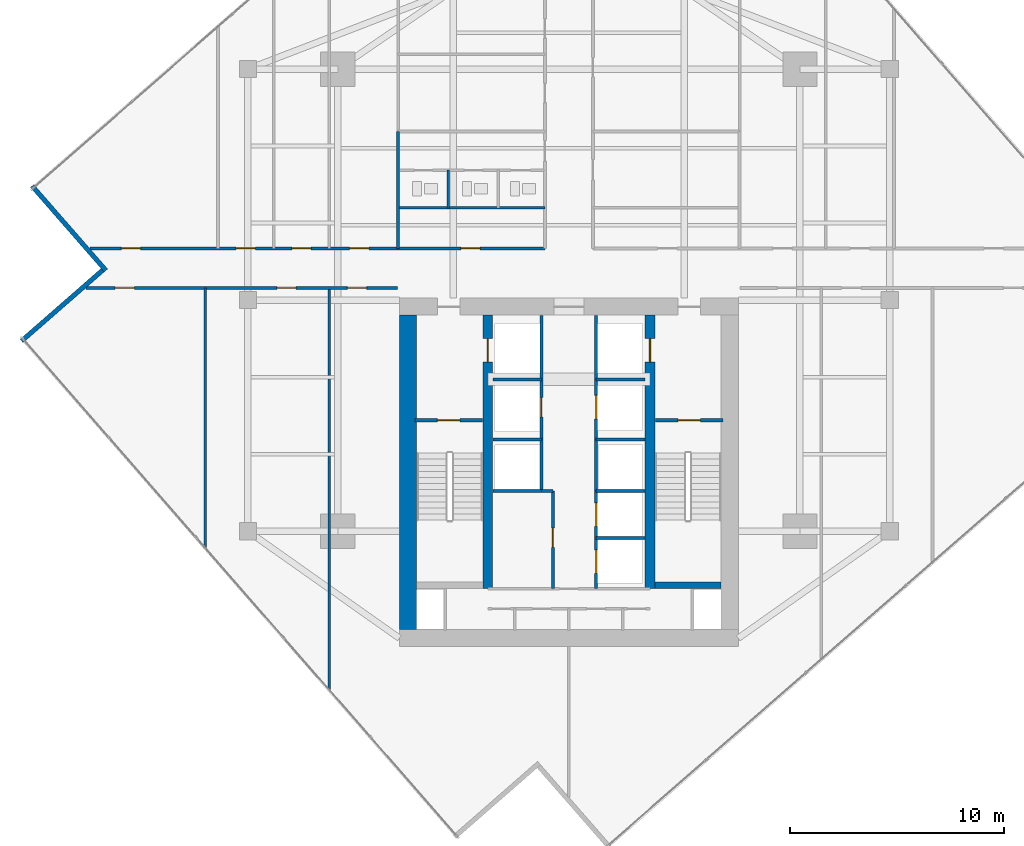
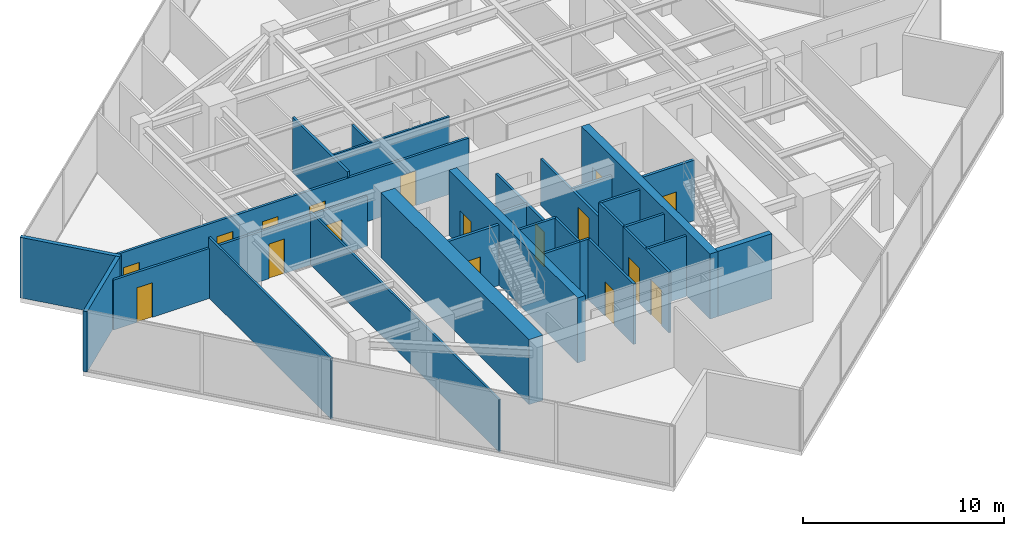
# One storey, part 20 of 24: 29 walls, 17 doors, 17 openings.
"""IFC4 building model written with IfcOpenShell, lengths in metres."""

from ifc_helpers import new_model, si_unit, direction, frame, frame_2d, origin, place, context, subcontext, project, spatial, rectangle, extrude, material, layer, layer_set, type_object, element, fill, save


model = new_model("IFC4")

# Units and contexts
model_context = context("Model", 3, precision=1e-05, world=origin(), true_north=direction((0.0, 1.0)))
body_context = subcontext(model_context, "Body", "Model", "MODEL_VIEW")
ifc_project = project(units=[si_unit("LENGTHUNIT", "METRE"), si_unit("AREAUNIT", "SQUARE_METRE"), si_unit("VOLUMEUNIT", "CUBIC_METRE"), si_unit("PLANEANGLEUNIT", "RADIAN"), si_unit("MASSUNIT", "GRAM", prefix="KILO")], contexts=[model_context])

# Site, building, storey
site_placement = place(None, origin())
site = spatial("IfcSite", under=ifc_project, at=site_placement, CompositionType="ELEMENT")
building_placement = place(site_placement, origin())
building = spatial("IfcBuilding", under=site, at=building_placement, Name="Krantzveldt Concourse Tower", CompositionType="ELEMENT")
storey_placement = place(building_placement, frame((0.0, 0.0, 254.699951171875)))
storey = spatial("IfcBuildingStorey", under=building, at=storey_placement, Name="L62", CompositionType="ELEMENT", Elevation=254.699951171875)

# Walls
ifc_material_1 = material(Name="Anodised aluminium 6063-T6", Category="aluminium")
ifc_layer_1 = layer(ifc_material_1, 0.219970703125, Name="Anodised aluminium 6063-T6", Category="aluminium")
ifc_layer_set_1 = layer_set([ifc_layer_1], Name="Anodised aluminium 6063-T6 (WL-EXT-NOTCH220)")
wall_type_1 = type_object("IfcWallType", Name="WL-EXT-NOTCH220", PredefinedType="ELEMENTEDWALL", material=ifc_layer_set_1)
wall_1_placement = place(storey_placement, frame((10.90771484375, 32.038818359375, 0.0), z_axis=(0.0, 0.0, 1.0), x_axis=(0.657710057617, -0.7532711863, 0.0)))
element("IfcWall", 1, at=wall_1_placement, inside=storey, type_object=wall_type_1, Name="EW-L62-NCH02", PredefinedType="ELEMENTEDWALL", context=body_context, shape_type="SweptSolid", body=[
    extrude(rectangle(XDim=5.2451171875, YDim=0.219970703125, at=frame_2d((2.62255859375, 0.0))), origin(), (0.0, 0.0, 1.0), 3.670166015625),
])
wall_2_placement = place(storey_placement, frame((14.2021484375, 28.098388671875, 0.0), z_axis=(0.0, 0.0, 1.0), x_axis=(-0.753274531518, -0.657706226339, 0.0)))
element("IfcWall", 2, at=wall_2_placement, inside=storey, type_object=wall_type_1, Name="EW-L62-NCH03", PredefinedType="ELEMENTEDWALL", context=body_context, shape_type="SweptSolid", body=[
    extrude(rectangle(XDim=5.02490234375, YDim=0.219970703125, at=frame_2d((2.512451171875, 0.0))), origin(), (0.0, 0.0, 1.0), 3.670166015625),
])
ifc_material_2 = material(Name="Fire-rated gypsum plasterboard on steel stud", Category="steel")
ifc_layer_2 = layer(ifc_material_2, 0.1201171875, Name="Fire-rated gypsum plasterboard on steel stud", Category="steel")
ifc_layer_set_2 = layer_set([ifc_layer_2], Name="Fire-rated gypsum plasterboard on steel stud (WL-PART-120)")
wall_type_2 = type_object("IfcWallType", Name="WL-PART-120", PredefinedType="PARTITIONING", material=ifc_layer_set_2)
wall_3_placement = place(storey_placement, frame((28.02001953125, 31.02001953125, 0.0), z_axis=(0.0, 0.0, 1.0), x_axis=(1.0, 0.0, 0.0)))
element("IfcWall", 3, at=wall_3_placement, inside=storey, type_object=wall_type_2, Name="WP-L62-ISML", PredefinedType="PARTITIONING", context=body_context, shape_type="SweptSolid", body=[
    extrude(rectangle(XDim=6.85986328125, YDim=0.1201171875, at=frame_2d((3.429931640625, 0.0))), origin(), (0.0, 0.0, 1.0), 3.179931640625),
])
wall_4_placement = place(storey_placement, frame((30.3701171875, 31.02001953125, 0.0), z_axis=(0.0, 0.0, 1.0), x_axis=(0.0, 1.0, 0.0)))
element("IfcWall", 4, at=wall_4_placement, inside=storey, type_object=wall_type_2, Name="WP-L62-WCD1", PredefinedType="PARTITIONING", context=body_context, shape_type="SweptSolid", body=[
    extrude(rectangle(XDim=1.760009765625, YDim=0.1201171875, at=frame_2d((0.8798828125, 0.0))), origin(), (0.0, 0.0, 1.0), 3.179931640625),
])
wall_5_placement = place(storey_placement, frame((19.0, 15.13818359375, 0.0), z_axis=(0.0, 0.0, 1.0), x_axis=(0.0, 1.0, 0.0)))
element("IfcWall", 5, at=wall_5_placement, inside=storey, type_object=wall_type_2, Name="WP-L62-SWX1", PredefinedType="PARTITIONING", context=body_context, shape_type="SweptSolid", body=[
    extrude(rectangle(XDim=12.141845703125, YDim=0.1201171875, at=frame_2d((6.07080078125, 0.0))), origin(), (0.0, 0.0, 1.0), 3.670166015625),
])
wall_6_placement = place(storey_placement, frame((24.800048828125, 8.495361328125, 0.0), z_axis=(0.0, 0.0, 1.0), x_axis=(0.0, 1.0, 0.0)))
element("IfcWall", 6, at=wall_6_placement, inside=storey, type_object=wall_type_2, Name="WP-L62-SWX2", PredefinedType="PARTITIONING", context=body_context, shape_type="SweptSolid", body=[
    extrude(rectangle(XDim=18.78466796875, YDim=0.1201171875, at=frame_2d((9.392333984375, 0.0))), origin(), (0.0, 0.0, 1.0), 3.179931640625),
])

# Wall, openings, doors
ifc_layer_3 = layer(ifc_material_2, 0.139892578125, Name="Fire-rated gypsum plasterboard on steel stud", Category="steel")
ifc_layer_set_3 = layer_set([ifc_layer_3], Name="Fire-rated gypsum plasterboard on steel stud (WL-PART-140)")
wall_type_3 = type_object("IfcWallType", Name="WL-PART-140", PredefinedType="PARTITIONING", material=ifc_layer_set_3)
wall_7_placement = place(storey_placement, frame((13.60888671875, 29.1201171875, 0.0), z_axis=(0.0, 0.0, 1.0), x_axis=(1.0, 0.0, 0.0)))
wall_7 = element("IfcWall", 7, at=wall_7_placement, inside=storey, type_object=wall_type_3, Name="WP-L62-EWNL", PredefinedType="PARTITIONING", context=body_context, shape_type="SweptSolid", body=[
    extrude(rectangle(XDim=21.27099609375, YDim=0.139892578125, at=frame_2d((10.635498046875, 0.0))), origin(), (0.0, 0.0, 1.0), 3.030029296875),
])
opening_1_placement = place(wall_7_placement, frame((17.341064453125, 0.0, 0.0)))
opening_1 = element("IfcOpeningElement", 8, at=opening_1_placement, cuts=wall_7, Name="Opening D-IN090", PredefinedType="OPENING", context=body_context, shape_type="SweptSolid", body=[
    extrude(rectangle(XDim=0.89990234375, YDim=2.10009765625, at=frame_2d((0.449951171875, 1.050048828125))), frame((0.0, 0.080078125, 0.0), z_axis=(0.0, -1.0, 0.0), x_axis=(1.0, 0.0, 0.0)), (0.0, 0.0, 1.0), 0.159912109375),
])
opening_2_placement = place(wall_7_placement, frame((1.47802734375, 0.0, 0.0)))
opening_2 = element("IfcOpeningElement", 9, at=opening_2_placement, cuts=wall_7, Name="Opening D-IN090", PredefinedType="OPENING", context=body_context, shape_type="SweptSolid", body=[
    extrude(rectangle(XDim=0.89990234375, YDim=2.10009765625, at=frame_2d((0.449951171875, 1.050048828125))), frame((0.0, 0.080078125, 0.0), z_axis=(0.0, -1.0, 0.0), x_axis=(1.0, 0.0, 0.0)), (0.0, 0.0, 1.0), 0.159912109375),
])
opening_3_placement = place(wall_7_placement, frame((6.841064453125, 0.0, 0.0)))
opening_3 = element("IfcOpeningElement", 10, at=opening_3_placement, cuts=wall_7, Name="Opening D-IN090", PredefinedType="OPENING", context=body_context, shape_type="SweptSolid", body=[
    extrude(rectangle(XDim=0.89990234375, YDim=2.10009765625, at=frame_2d((0.449951171875, 1.050048828125))), frame((0.0, 0.080078125, 0.0), z_axis=(0.0, -1.0, 0.0), x_axis=(1.0, 0.0, 0.0)), (0.0, 0.0, 1.0), 0.159912109375),
])
opening_4_placement = place(wall_7_placement, frame((9.44091796875, 0.0, 0.0)))
opening_4 = element("IfcOpeningElement", 11, at=opening_4_placement, cuts=wall_7, Name="Opening D-IN090", PredefinedType="OPENING", context=body_context, shape_type="SweptSolid", body=[
    extrude(rectangle(XDim=0.89990234375, YDim=2.10009765625, at=frame_2d((0.449951171875, 1.050048828125))), frame((0.0, 0.080078125, 0.0), z_axis=(0.0, -1.0, 0.0), x_axis=(1.0, 0.0, 0.0)), (0.0, 0.0, 1.0), 0.159912109375),
])
opening_5_placement = place(wall_7_placement, frame((12.14111328125, 0.0, 0.0)))
opening_5 = element("IfcOpeningElement", 12, at=opening_5_placement, cuts=wall_7, Name="Opening D-IN090", PredefinedType="OPENING", context=body_context, shape_type="SweptSolid", body=[
    extrude(rectangle(XDim=0.89990234375, YDim=2.10009765625, at=frame_2d((0.449951171875, 1.050048828125))), frame((0.0, 0.080078125, 0.0), z_axis=(0.0, -1.0, 0.0), x_axis=(1.0, 0.0, 0.0)), (0.0, 0.0, 1.0), 0.159912109375),
])
ifc_material_3 = material(Name="Hardwood timber", Category="wood")
door_type_1 = type_object("IfcDoorType", Name="DR-INT-900", OperationType="SINGLE_SWING_LEFT", PredefinedType="DOOR", material=ifc_material_3)
door_1_placement = place(opening_1_placement, origin())
door_1 = element("IfcDoor", 13, at=door_1_placement, inside=storey, type_object=door_type_1, Name="DR-L62-ALCL", OperationType="SINGLE_SWING_LEFT", OverallHeight=2.10009765625, OverallWidth=0.89990234375, PredefinedType="DOOR", context=body_context, shape_type="SweptSolid", body=[
    extrude(rectangle(XDim=0.89990234375, YDim=2.10009765625, at=frame_2d((0.449951171875, 1.050048828125))), frame((0.0, 0.02490234375, 0.0), z_axis=(0.0, -1.0, 0.0), x_axis=(1.0, 0.0, 0.0)), (0.0, 0.0, 1.0), 0.050048828125),
])
fill(opening_1, door_1)
door_2_placement = place(opening_2_placement, origin())
door_2 = element("IfcDoor", 14, at=door_2_placement, inside=storey, type_object=door_type_1, Name="DR-L62-NWX1", OperationType="SINGLE_SWING_LEFT", OverallHeight=2.10009765625, OverallWidth=0.89990234375, PredefinedType="DOOR", context=body_context, shape_type="SweptSolid", body=[
    extrude(rectangle(XDim=0.89990234375, YDim=2.10009765625, at=frame_2d((0.449951171875, 1.050048828125))), frame((0.0, 0.02490234375, 0.0), z_axis=(0.0, -1.0, 0.0), x_axis=(1.0, 0.0, 0.0)), (0.0, 0.0, 1.0), 0.050048828125),
])
fill(opening_2, door_2)
door_3_placement = place(opening_3_placement, origin())
door_3 = element("IfcDoor", 15, at=door_3_placement, inside=storey, type_object=door_type_1, Name="DR-L62-NWX2", OperationType="SINGLE_SWING_LEFT", OverallHeight=2.10009765625, OverallWidth=0.89990234375, PredefinedType="DOOR", context=body_context, shape_type="SweptSolid", body=[
    extrude(rectangle(XDim=0.89990234375, YDim=2.10009765625, at=frame_2d((0.449951171875, 1.050048828125))), frame((0.0, 0.02490234375, 0.0), z_axis=(0.0, -1.0, 0.0), x_axis=(1.0, 0.0, 0.0)), (0.0, 0.0, 1.0), 0.050048828125),
])
fill(opening_3, door_3)
door_4_placement = place(opening_4_placement, origin())
door_4 = element("IfcDoor", 16, at=door_4_placement, inside=storey, type_object=door_type_1, Name="DR-L62-NWX3", OperationType="SINGLE_SWING_LEFT", OverallHeight=2.10009765625, OverallWidth=0.89990234375, PredefinedType="DOOR", context=body_context, shape_type="SweptSolid", body=[
    extrude(rectangle(XDim=0.89990234375, YDim=2.10009765625, at=frame_2d((0.449951171875, 1.050048828125))), frame((0.0, 0.02490234375, 0.0), z_axis=(0.0, -1.0, 0.0), x_axis=(1.0, 0.0, 0.0)), (0.0, 0.0, 1.0), 0.050048828125),
])
fill(opening_4, door_4)
door_5_placement = place(opening_5_placement, origin())
door_5 = element("IfcDoor", 17, at=door_5_placement, inside=storey, type_object=door_type_1, Name="DR-L62-NWX4", OperationType="SINGLE_SWING_LEFT", OverallHeight=2.10009765625, OverallWidth=0.89990234375, PredefinedType="DOOR", context=body_context, shape_type="SweptSolid", body=[
    extrude(rectangle(XDim=0.89990234375, YDim=2.10009765625, at=frame_2d((0.449951171875, 1.050048828125))), frame((0.0, 0.02490234375, 0.0), z_axis=(0.0, -1.0, 0.0), x_axis=(1.0, 0.0, 0.0)), (0.0, 0.0, 1.0), 0.050048828125),
])
fill(opening_5, door_5)

wall_8_placement = place(storey_placement, frame((13.439453125, 27.280029296875, 0.0), z_axis=(0.0, 0.0, 1.0), x_axis=(1.0, 0.0, 0.0)))
wall_8 = element("IfcWall", 18, at=wall_8_placement, inside=storey, type_object=wall_type_3, Name="WP-L62-EWSL", PredefinedType="PARTITIONING", context=body_context, shape_type="SweptSolid", body=[
    extrude(rectangle(XDim=14.560546875, YDim=0.139892578125, at=frame_2d((7.2802734375, 0.0))), origin(), (0.0, 0.0, 1.0), 3.030029296875),
])
opening_6_placement = place(wall_8_placement, frame((1.347412109375, 0.0, 0.0)))
opening_6 = element("IfcOpeningElement", 19, at=opening_6_placement, cuts=wall_8, Name="Opening D-IN090", PredefinedType="OPENING", context=body_context, shape_type="SweptSolid", body=[
    extrude(rectangle(XDim=0.89990234375, YDim=2.10009765625, at=frame_2d((0.449951171875, 1.050048828125))), frame((0.0, 0.080078125, 0.0), z_axis=(0.0, -1.0, 0.0), x_axis=(1.0, 0.0, 0.0)), (0.0, 0.0, 1.0), 0.159912109375),
])
opening_7_placement = place(wall_8_placement, frame((8.910400390625, 0.0, 0.0)))
opening_7 = element("IfcOpeningElement", 20, at=opening_7_placement, cuts=wall_8, Name="Opening D-IN090", PredefinedType="OPENING", context=body_context, shape_type="SweptSolid", body=[
    extrude(rectangle(XDim=0.89990234375, YDim=2.10009765625, at=frame_2d((0.449951171875, 1.050048828125))), frame((0.0, 0.080078125, 0.0), z_axis=(0.0, -1.0, 0.0), x_axis=(1.0, 0.0, 0.0)), (0.0, 0.0, 1.0), 0.159912109375),
])
opening_8_placement = place(wall_8_placement, frame((12.21044921875, 0.0, 0.0)))
opening_8 = element("IfcOpeningElement", 21, at=opening_8_placement, cuts=wall_8, Name="Opening D-IN090", PredefinedType="OPENING", context=body_context, shape_type="SweptSolid", body=[
    extrude(rectangle(XDim=0.89990234375, YDim=2.10009765625, at=frame_2d((0.449951171875, 1.050048828125))), frame((0.0, 0.080078125, 0.0), z_axis=(0.0, -1.0, 0.0), x_axis=(1.0, 0.0, 0.0)), (0.0, 0.0, 1.0), 0.159912109375),
])
door_6_placement = place(opening_6_placement, origin())
door_6 = element("IfcDoor", 22, at=door_6_placement, inside=storey, type_object=door_type_1, Name="DR-L62-SWX1", OperationType="SINGLE_SWING_LEFT", OverallHeight=2.10009765625, OverallWidth=0.89990234375, PredefinedType="DOOR", context=body_context, shape_type="SweptSolid", body=[
    extrude(rectangle(XDim=0.89990234375, YDim=2.10009765625, at=frame_2d((0.449951171875, 1.050048828125))), frame((0.0, 0.02490234375, 0.0), z_axis=(0.0, -1.0, 0.0), x_axis=(1.0, 0.0, 0.0)), (0.0, 0.0, 1.0), 0.050048828125),
])
fill(opening_6, door_6)
door_7_placement = place(opening_7_placement, origin())
door_7 = element("IfcDoor", 23, at=door_7_placement, inside=storey, type_object=door_type_1, Name="DR-L62-SWX2", OperationType="SINGLE_SWING_LEFT", OverallHeight=2.10009765625, OverallWidth=0.89990234375, PredefinedType="DOOR", context=body_context, shape_type="SweptSolid", body=[
    extrude(rectangle(XDim=0.89990234375, YDim=2.10009765625, at=frame_2d((0.449951171875, 1.050048828125))), frame((0.0, 0.02490234375, 0.0), z_axis=(0.0, -1.0, 0.0), x_axis=(1.0, 0.0, 0.0)), (0.0, 0.0, 1.0), 0.050048828125),
])
fill(opening_7, door_7)
door_8_placement = place(opening_8_placement, origin())
door_8 = element("IfcDoor", 24, at=door_8_placement, inside=storey, type_object=door_type_1, Name="DR-L62-SWX3", OperationType="SINGLE_SWING_LEFT", OverallHeight=2.10009765625, OverallWidth=0.89990234375, PredefinedType="DOOR", context=body_context, shape_type="SweptSolid", body=[
    extrude(rectangle(XDim=0.89990234375, YDim=2.10009765625, at=frame_2d((0.449951171875, 1.050048828125))), frame((0.0, 0.02490234375, 0.0), z_axis=(0.0, -1.0, 0.0), x_axis=(1.0, 0.0, 0.0)), (0.0, 0.0, 1.0), 0.050048828125),
])
fill(opening_8, door_8)

# Wall
wall_9_placement = place(storey_placement, frame((28.02001953125, 29.1201171875, 0.0), z_axis=(0.0, 0.0, 1.0), x_axis=(0.0, 1.0, 0.0)))
element("IfcWall", 25, at=wall_9_placement, inside=storey, type_object=wall_type_3, Name="WP-L62-ISWL", PredefinedType="PARTITIONING", context=body_context, shape_type="SweptSolid", body=[
    extrude(rectangle(XDim=5.4599609375, YDim=0.139892578125, at=frame_2d((2.72998046875, 0.0))), origin(), (0.0, 0.0, 1.0), 3.3701171875),
])

# Wall, opening, door
ifc_layer_4 = layer(ifc_material_2, 0.139892578125, Name="Fire-rated gypsum plasterboard on steel stud", Category="steel")
ifc_layer_set_4 = layer_set([ifc_layer_4], Name="Fire-rated gypsum plasterboard on steel stud (WL-PART-FR140)")
wall_type_4 = type_object("IfcWallType", Name="WL-PART-FR140", PredefinedType="PARTITIONING", material=ifc_layer_set_4)
wall_10_placement = place(storey_placement, frame((34.719970703125, 20.199951171875, 0.0), z_axis=(0.0, 0.0, 1.0), x_axis=(0.0, 1.0, 0.0)))
wall_10 = element("IfcWall", 26, at=wall_10_placement, inside=storey, type_object=wall_type_4, Name="WP-L62-SHNW", PredefinedType="PARTITIONING", context=body_context, shape_type="SweptSolid", body=[
    extrude(rectangle(XDim=5.780029296875, YDim=0.139892578125, at=frame_2d((2.89013671875, 0.0))), origin(), (0.0, 0.0, 1.0), 2.820068359375),
])
opening_9_placement = place(wall_10_placement, frame((1.050048828125, 0.0, 0.0)))
opening_9 = element("IfcOpeningElement", 27, at=opening_9_placement, cuts=wall_10, Name="Opening D-FD090", PredefinedType="OPENING", context=body_context, shape_type="SweptSolid", body=[
    extrude(rectangle(XDim=0.89990234375, YDim=2.10009765625, at=frame_2d((0.449951171875, 1.050048828125))), frame((0.0, 0.080078125, 0.0), z_axis=(0.0, -1.0, 0.0), x_axis=(1.0, 0.0, 0.0)), (0.0, 0.0, 1.0), 0.159912109375),
])
door_type_2 = type_object("IfcDoorType", Name="DR-FD60-900", OperationType="SINGLE_SWING_LEFT", PredefinedType="DOOR", material=ifc_material_3)
door_9_placement = place(opening_9_placement, origin())
door_9 = element("IfcDoor", 28, at=door_9_placement, inside=storey, type_object=door_type_2, Name="Electrical Riser Access Door L62", OperationType="SINGLE_SWING_LEFT", OverallHeight=2.10009765625, OverallWidth=0.89990234375, PredefinedType="DOOR", context=body_context, shape_type="SweptSolid", body=[
    extrude(rectangle(XDim=0.89990234375, YDim=2.10009765625, at=frame_2d((0.449951171875, 1.050048828125))), frame((0.0, 0.02490234375, 0.0), z_axis=(0.0, -1.0, 0.0), x_axis=(1.0, 0.0, 0.0)), (0.0, 0.0, 1.0), 0.050048828125),
])
fill(opening_9, door_9)

wall_11_placement = place(storey_placement, frame((37.280029296875, 20.199951171875, 0.0), z_axis=(0.0, 0.0, 1.0), x_axis=(0.0, 1.0, 0.0)))
wall_11 = element("IfcWall", 29, at=wall_11_placement, inside=storey, type_object=wall_type_4, Name="WP-L62-SHNE", PredefinedType="PARTITIONING", context=body_context, shape_type="SweptSolid", body=[
    extrude(rectangle(XDim=5.780029296875, YDim=0.139892578125, at=frame_2d((2.89013671875, 0.0))), origin(), (0.0, 0.0, 1.0), 2.820068359375),
])
opening_10_placement = place(wall_11_placement, frame((0.949951171875, 0.0, 0.0)))
opening_10 = element("IfcOpeningElement", 30, at=opening_10_placement, cuts=wall_11, Name="Opening LD", PredefinedType="OPENING", context=body_context, shape_type="SweptSolid", body=[
    extrude(rectangle(XDim=1.10009765625, YDim=2.14990234375, at=frame_2d((0.550048828125, 1.074951171875))), frame((0.0, 0.080078125, 0.0), z_axis=(0.0, -1.0, 0.0), x_axis=(1.0, 0.0, 0.0)), (0.0, 0.0, 1.0), 0.159912109375),
])
ifc_material_4 = material(Name="Stainless steel 316L", Category="steel")
door_type_3 = type_object("IfcDoorType", Name="DR-SLIDE-LD1100", OperationType="DOUBLE_DOOR_SLIDING", PredefinedType="DOOR", material=ifc_material_4)
door_10_placement = place(opening_10_placement, origin())
door_10 = element("IfcDoor", 31, at=door_10_placement, inside=storey, type_object=door_type_3, Name="LD-L62-GL1", OperationType="DOUBLE_DOOR_SLIDING", OverallHeight=2.14990234375, OverallWidth=1.10009765625, PredefinedType="DOOR", context=body_context, shape_type="SweptSolid", body=[
    extrude(rectangle(XDim=1.10009765625, YDim=2.14990234375, at=frame_2d((0.550048828125, 1.074951171875))), frame((0.0, 0.02490234375, 0.0), z_axis=(0.0, -1.0, 0.0), x_axis=(1.0, 0.0, 0.0)), (0.0, 0.0, 1.0), 0.050048828125),
])
fill(opening_10, door_10)

# Walls
for number, where, z_axis, x_axis, name in (
    (32, (32.449951171875, 23.0, 0.0), (0.0, 0.0, 1.0), (1.0, 0.0, 0.0), "WP-L62-RISH"),
    (33, (37.280029296875, 23.0, 0.0), (0.0, 0.0, 1.0), (1.0, 0.0, 0.0), "WP-L62-GLH"),
):
    element("IfcWall", number, at=place(storey_placement, frame(where, z_axis=z_axis, x_axis=x_axis)), inside=storey, type_object=wall_type_4, Name=name, PredefinedType="PARTITIONING", context=body_context, shape_type="SweptSolid", body=[
        extrude(rectangle(XDim=2.27001953125, YDim=0.139892578125, at=frame_2d((1.135009765625, 0.0))), origin(), (0.0, 0.0, 1.0), 2.820068359375),
    ])
for number, where, z_axis, x_axis, name in (
    (34, (34.719970703125, 17.780029296875, 0.0), (0.0, 0.0, 1.0), (0.0, 1.0, 0.0), "WP-L62-SHNW2"),
    (35, (37.280029296875, 17.780029296875, 0.0), (0.0, 0.0, 1.0), (0.0, 1.0, 0.0), "WP-L62-SHNE2"),
):
    element("IfcWall", number, at=place(storey_placement, frame(where, z_axis=z_axis, x_axis=x_axis)), inside=storey, type_object=wall_type_4, Name=name, PredefinedType="PARTITIONING", context=body_context, shape_type="SweptSolid", body=[
        extrude(rectangle(XDim=2.419921875, YDim=0.139892578125, at=frame_2d((1.2099609375, 0.0))), origin(), (0.0, 0.0, 1.0), 3.670166015625),
    ])
for number, where, z_axis, x_axis, name in (
    (36, (32.449951171875, 17.780029296875, 0.0), (0.0, 0.0, 1.0), (1.0, 0.0, 0.0), "WP-L62-DIVW2"),
    (37, (32.449951171875, 20.179931640625, 0.0), (0.0, 0.0, 1.0), (1.0, 0.0, 0.0), "WP-L62-DIVW3"),
    (38, (37.280029296875, 17.780029296875, 0.0), (0.0, 0.0, 1.0), (1.0, 0.0, 0.0), "WP-L62-DIVE2"),
    (39, (37.280029296875, 20.179931640625, 0.0), (0.0, 0.0, 1.0), (1.0, 0.0, 0.0), "WP-L62-DIVE3"),
):
    element("IfcWall", number, at=place(storey_placement, frame(where, z_axis=z_axis, x_axis=x_axis)), inside=storey, type_object=wall_type_4, Name=name, PredefinedType="PARTITIONING", context=body_context, shape_type="SweptSolid", body=[
        extrude(rectangle(XDim=2.27001953125, YDim=0.139892578125, at=frame_2d((1.135009765625, 0.0))), origin(), (0.0, 0.0, 1.0), 3.670166015625),
    ])

# Wall, opening, door
wall_12_placement = place(storey_placement, frame((35.25, 13.219970703125, 0.0), z_axis=(0.0, 0.0, 1.0), x_axis=(0.0, 1.0, 0.0)))
wall_12 = element("IfcWall", 40, at=wall_12_placement, inside=storey, type_object=wall_type_4, Name="WP-L62-RECW", PredefinedType="PARTITIONING", context=body_context, shape_type="SweptSolid", body=[
    extrude(rectangle(XDim=4.56005859375, YDim=0.139892578125, at=frame_2d((2.280029296875, 0.0))), origin(), (0.0, 0.0, 1.0), 3.670166015625),
])
opening_11_placement = place(wall_12_placement, frame((1.929931640625, 0.0, 0.0)))
opening_11 = element("IfcOpeningElement", 41, at=opening_11_placement, cuts=wall_12, Name="Opening D-FD090", PredefinedType="OPENING", context=body_context, shape_type="SweptSolid", body=[
    extrude(rectangle(XDim=0.89990234375, YDim=2.10009765625, at=frame_2d((0.449951171875, 1.050048828125))), frame((0.0, 0.080078125, 0.0), z_axis=(0.0, -1.0, 0.0), x_axis=(1.0, 0.0, 0.0)), (0.0, 0.0, 1.0), 0.159912109375),
])
door_11_placement = place(opening_11_placement, origin())
door_11 = element("IfcDoor", 42, at=door_11_placement, inside=storey, type_object=door_type_2, Name="DR-L62-RECW", OperationType="SINGLE_SWING_LEFT", OverallHeight=2.10009765625, OverallWidth=0.89990234375, PredefinedType="DOOR", context=body_context, shape_type="SweptSolid", body=[
    extrude(rectangle(XDim=0.89990234375, YDim=2.10009765625, at=frame_2d((0.449951171875, 1.050048828125))), frame((0.0, 0.02490234375, 0.0), z_axis=(0.0, -1.0, 0.0), x_axis=(1.0, 0.0, 0.0)), (0.0, 0.0, 1.0), 0.050048828125),
])
fill(opening_11, door_11)

# Wall
wall_13_placement = place(storey_placement, frame((34.719970703125, 17.780029296875, 0.0), z_axis=(0.0, 0.0, 1.0), x_axis=(1.0, 0.0, 0.0)))
element("IfcWall", 43, at=wall_13_placement, inside=storey, type_object=wall_type_4, Name="WP-L62-RECWN", PredefinedType="PARTITIONING", context=body_context, shape_type="SweptSolid", body=[
    extrude(rectangle(XDim=0.530029296875, YDim=0.139892578125, at=frame_2d((0.26513671875, 0.0))), origin(), (0.0, 0.0, 1.0), 3.670166015625),
])

# Wall, openings, doors
wall_14_placement = place(storey_placement, frame((37.280029296875, 13.219970703125, 0.0), z_axis=(0.0, 0.0, 1.0), x_axis=(0.0, 1.0, 0.0)))
wall_14 = element("IfcWall", 44, at=wall_14_placement, inside=storey, type_object=wall_type_4, Name="WP-L62-SHSE", PredefinedType="PARTITIONING", context=body_context, shape_type="SweptSolid", body=[
    extrude(rectangle(XDim=4.56005859375, YDim=0.139892578125, at=frame_2d((2.280029296875, 0.0))), origin(), (0.0, 0.0, 1.0), 3.670166015625),
])
opening_12_placement = place(wall_14_placement, frame((0.7099609375, 0.0, 0.0)))
opening_12 = element("IfcOpeningElement", 45, at=opening_12_placement, cuts=wall_14, Name="Opening LD", PredefinedType="OPENING", context=body_context, shape_type="SweptSolid", body=[
    extrude(rectangle(XDim=1.10009765625, YDim=2.14990234375, at=frame_2d((0.550048828125, 1.074951171875))), frame((0.0, 0.080078125, 0.0), z_axis=(0.0, -1.0, 0.0), x_axis=(1.0, 0.0, 0.0)), (0.0, 0.0, 1.0), 0.159912109375),
])
opening_13_placement = place(wall_14_placement, frame((2.909912109375, 0.0, 0.0)))
opening_13 = element("IfcOpeningElement", 46, at=opening_13_placement, cuts=wall_14, Name="Opening LD", PredefinedType="OPENING", context=body_context, shape_type="SweptSolid", body=[
    extrude(rectangle(XDim=1.10009765625, YDim=2.14990234375, at=frame_2d((0.550048828125, 1.074951171875))), frame((0.0, 0.080078125, 0.0), z_axis=(0.0, -1.0, 0.0), x_axis=(1.0, 0.0, 0.0)), (0.0, 0.0, 1.0), 0.159912109375),
])
door_12_placement = place(opening_12_placement, origin())
door_12 = element("IfcDoor", 47, at=door_12_placement, inside=storey, type_object=door_type_3, Name="LD-L62-PM1", OperationType="DOUBLE_DOOR_SLIDING", OverallHeight=2.14990234375, OverallWidth=1.10009765625, PredefinedType="DOOR", context=body_context, shape_type="SweptSolid", body=[
    extrude(rectangle(XDim=1.10009765625, YDim=2.14990234375, at=frame_2d((0.550048828125, 1.074951171875))), frame((0.0, 0.02490234375, 0.0), z_axis=(0.0, -1.0, 0.0), x_axis=(1.0, 0.0, 0.0)), (0.0, 0.0, 1.0), 0.050048828125),
])
fill(opening_12, door_12)
door_13_placement = place(opening_13_placement, origin())
door_13 = element("IfcDoor", 48, at=door_13_placement, inside=storey, type_object=door_type_3, Name="LD-L62-PM2", OperationType="DOUBLE_DOOR_SLIDING", OverallHeight=2.14990234375, OverallWidth=1.10009765625, PredefinedType="DOOR", context=body_context, shape_type="SweptSolid", body=[
    extrude(rectangle(XDim=1.10009765625, YDim=2.14990234375, at=frame_2d((0.550048828125, 1.074951171875))), frame((0.0, 0.02490234375, 0.0), z_axis=(0.0, -1.0, 0.0), x_axis=(1.0, 0.0, 0.0)), (0.0, 0.0, 1.0), 0.050048828125),
])
fill(opening_13, door_13)

# Wall
wall_15_placement = place(storey_placement, frame((37.280029296875, 15.580078125, 0.0), z_axis=(0.0, 0.0, 1.0), x_axis=(1.0, 0.0, 0.0)))
element("IfcWall", 49, at=wall_15_placement, inside=storey, type_object=wall_type_4, Name="WP-L62-DIVE1", PredefinedType="PARTITIONING", context=body_context, shape_type="SweptSolid", body=[
    extrude(rectangle(XDim=2.27001953125, YDim=0.139892578125, at=frame_2d((1.135009765625, 0.0))), origin(), (0.0, 0.0, 1.0), 3.670166015625),
])

# Wall, opening, door
ifc_layer_5 = layer(ifc_material_2, 0.159912109375, Name="Fire-rated gypsum plasterboard on steel stud", Category="steel")
ifc_layer_set_5 = layer_set([ifc_layer_5], Name="Fire-rated gypsum plasterboard on steel stud (WL-PART-FR160)")
wall_type_5 = type_object("IfcWallType", Name="WL-PART-FR160", PredefinedType="PARTITIONING", material=ifc_layer_set_5)
wall_16_placement = place(storey_placement, frame((28.800048828125, 21.080078125, 0.0), z_axis=(0.0, 0.0, 1.0), x_axis=(1.0, 0.0, 0.0)))
wall_16 = element("IfcWall", 50, at=wall_16_placement, inside=storey, type_object=wall_type_5, Name="WP-L62-ST1", PredefinedType="PARTITIONING", context=body_context, shape_type="SweptSolid", body=[
    extrude(rectangle(XDim=3.159912109375, YDim=0.159912109375, at=frame_2d((1.580078125, 0.0))), origin(), (0.0, 0.0, 1.0), 3.670166015625),
])
opening_14_placement = place(wall_16_placement, frame((1.054931640625, 0.0, 0.0)))
opening_14 = element("IfcOpeningElement", 51, at=opening_14_placement, cuts=wall_16, Name="Opening D-FD105", PredefinedType="OPENING", context=body_context, shape_type="SweptSolid", body=[
    extrude(rectangle(XDim=1.050048828125, YDim=2.10009765625, at=frame_2d((0.52490234375, 1.050048828125))), frame((0.0, 0.08984375, 0.0), z_axis=(0.0, -1.0, 0.0), x_axis=(1.0, 0.0, 0.0)), (0.0, 0.0, 1.0), 0.179931640625),
])
ifc_material_5 = material(Name="Galvanised steel", Category="steel")
door_type_4 = type_object("IfcDoorType", Name="DR-FD120-1050", OperationType="SINGLE_SWING_LEFT", PredefinedType="DOOR", material=ifc_material_5)
door_14_placement = place(opening_14_placement, origin())
door_14 = element("IfcDoor", 52, at=door_14_placement, inside=storey, type_object=door_type_4, Name="DR-L62-ST1", OperationType="SINGLE_SWING_RIGHT", OverallHeight=2.10009765625, OverallWidth=1.050048828125, PredefinedType="DOOR", context=body_context, shape_type="SweptSolid", body=[
    extrude(rectangle(XDim=1.050048828125, YDim=2.10009765625, at=frame_2d((0.52490234375, 1.050048828125))), frame((0.0, 0.02490234375, 0.0), z_axis=(0.0, -1.0, 0.0), x_axis=(1.0, 0.0, 0.0)), (0.0, 0.0, 1.0), 0.050048828125),
])
fill(opening_14, door_14)

wall_17_placement = place(storey_placement, frame((40.0400390625, 21.080078125, 0.0), z_axis=(0.0, 0.0, 1.0), x_axis=(1.0, 0.0, 0.0)))
wall_17 = element("IfcWall", 53, at=wall_17_placement, inside=storey, type_object=wall_type_5, Name="WP-L62-ST2", PredefinedType="PARTITIONING", context=body_context, shape_type="SweptSolid", body=[
    extrude(rectangle(XDim=3.159912109375, YDim=0.159912109375, at=frame_2d((1.580078125, 0.0))), origin(), (0.0, 0.0, 1.0), 3.670166015625),
])
opening_15_placement = place(wall_17_placement, frame((1.054931640625, 0.0, 0.0)))
opening_15 = element("IfcOpeningElement", 54, at=opening_15_placement, cuts=wall_17, Name="Opening D-FD105", PredefinedType="OPENING", context=body_context, shape_type="SweptSolid", body=[
    extrude(rectangle(XDim=1.050048828125, YDim=2.10009765625, at=frame_2d((0.52490234375, 1.050048828125))), frame((0.0, 0.08984375, 0.0), z_axis=(0.0, -1.0, 0.0), x_axis=(1.0, 0.0, 0.0)), (0.0, 0.0, 1.0), 0.179931640625),
])
door_15_placement = place(opening_15_placement, origin())
door_15 = element("IfcDoor", 55, at=door_15_placement, inside=storey, type_object=door_type_4, Name="DR-L62-ST2", OperationType="SINGLE_SWING_LEFT", OverallHeight=2.10009765625, OverallWidth=1.050048828125, PredefinedType="DOOR", context=body_context, shape_type="SweptSolid", body=[
    extrude(rectangle(XDim=1.050048828125, YDim=2.10009765625, at=frame_2d((0.52490234375, 1.050048828125))), frame((0.0, 0.02490234375, 0.0), z_axis=(0.0, -1.0, 0.0), x_axis=(1.0, 0.0, 0.0)), (0.0, 0.0, 1.0), 0.050048828125),
])
fill(opening_15, door_15)

# Wall
ifc_material_6 = material(Name="Concrete C50/60", Category="concrete")
ifc_layer_6 = layer(ifc_material_6, 0.300048828125, Name="Concrete C50/60", Category="concrete")
ifc_layer_set_6 = layer_set([ifc_layer_6], Name="Concrete C50/60 (WL-SHEAR-300)")
wall_type_6 = type_object("IfcWallType", Name="WL-SHEAR-300", PredefinedType="SHEAR", material=ifc_layer_set_6)
wall_18_placement = place(storey_placement, frame((40.02001953125, 13.3701171875, 0.0), z_axis=(0.0, 0.0, 1.0), x_axis=(1.0, 0.0, 0.0)))
element("IfcWall", 56, at=wall_18_placement, inside=storey, type_object=wall_type_6, Name="CW-L62-ST2S", PredefinedType="SHEAR", context=body_context, shape_type="SweptSolid", body=[
    extrude(rectangle(XDim=3.10009765625, YDim=0.300048828125, at=frame_2d((1.550048828125, 0.0))), origin(), (0.0, 0.0, 1.0), 3.949951171875),
])

# Wall, opening, door
ifc_layer_7 = layer(ifc_material_6, 0.449951171875, Name="Concrete C50/60", Category="concrete")
ifc_layer_set_7 = layer_set([ifc_layer_7], Name="Concrete C50/60 (WL-SHEAR-450)")
wall_type_7 = type_object("IfcWallType", Name="WL-SHEAR-450", PredefinedType="SHEAR", material=ifc_layer_set_7)
wall_19_placement = place(storey_placement, frame((32.205078125, 13.219970703125, 0.0), z_axis=(0.0, 0.0, 1.0), x_axis=(0.0, 1.0, 0.0)))
wall_19 = element("IfcWall", 57, at=wall_19_placement, inside=storey, type_object=wall_type_7, Name="CW-L62-IW", PredefinedType="SHEAR", context=body_context, shape_type="SweptSolid", body=[
    extrude(rectangle(XDim=12.780029296875, YDim=0.449951171875, at=frame_2d((6.39013671875, 0.0))), origin(), (0.0, 0.0, 1.0), 3.949951171875),
])
opening_16_placement = place(wall_19_placement, frame((10.580078125, 0.0, 0.0)))
opening_16 = element("IfcOpeningElement", 58, at=opening_16_placement, cuts=wall_19, Name="Opening LD", PredefinedType="OPENING", context=body_context, shape_type="SweptSolid", body=[
    extrude(rectangle(XDim=1.10009765625, YDim=2.14990234375, at=frame_2d((0.550048828125, 1.074951171875))), frame((0.0, 0.23486328125, 0.0), z_axis=(0.0, -1.0, 0.0), x_axis=(1.0, 0.0, 0.0)), (0.0, 0.0, 1.0), 0.469970703125),
])
door_16_placement = place(opening_16_placement, origin())
door_16 = element("IfcDoor", 59, at=door_16_placement, inside=storey, type_object=door_type_3, Name="LD-L62-FL1", OperationType="DOUBLE_DOOR_SLIDING", OverallHeight=2.14990234375, OverallWidth=1.10009765625, PredefinedType="DOOR", context=body_context, shape_type="SweptSolid", body=[
    extrude(rectangle(XDim=1.10009765625, YDim=2.14990234375, at=frame_2d((0.550048828125, 1.074951171875))), frame((0.0, 0.02490234375, 0.0), z_axis=(0.0, -1.0, 0.0), x_axis=(1.0, 0.0, 0.0)), (0.0, 0.0, 1.0), 0.050048828125),
])
fill(opening_16, door_16)

wall_20_placement = place(storey_placement, frame((39.794921875, 13.219970703125, 0.0), z_axis=(0.0, 0.0, 1.0), x_axis=(0.0, 1.0, 0.0)))
wall_20 = element("IfcWall", 60, at=wall_20_placement, inside=storey, type_object=wall_type_7, Name="CW-L62-IE", PredefinedType="SHEAR", context=body_context, shape_type="SweptSolid", body=[
    extrude(rectangle(XDim=12.780029296875, YDim=0.449951171875, at=frame_2d((6.39013671875, 0.0))), origin(), (0.0, 0.0, 1.0), 3.949951171875),
])
opening_17_placement = place(wall_20_placement, frame((10.580078125, 0.0, 0.0)))
opening_17 = element("IfcOpeningElement", 61, at=opening_17_placement, cuts=wall_20, Name="Opening LD", PredefinedType="OPENING", context=body_context, shape_type="SweptSolid", body=[
    extrude(rectangle(XDim=1.10009765625, YDim=2.14990234375, at=frame_2d((0.550048828125, 1.074951171875))), frame((0.0, 0.23486328125, 0.0), z_axis=(0.0, -1.0, 0.0), x_axis=(1.0, 0.0, 0.0)), (0.0, 0.0, 1.0), 0.469970703125),
])
door_17_placement = place(opening_17_placement, origin())
door_17 = element("IfcDoor", 62, at=door_17_placement, inside=storey, type_object=door_type_3, Name="LD-L62-FL2", OperationType="DOUBLE_DOOR_SLIDING", OverallHeight=2.14990234375, OverallWidth=1.10009765625, PredefinedType="DOOR", context=body_context, shape_type="SweptSolid", body=[
    extrude(rectangle(XDim=1.10009765625, YDim=2.14990234375, at=frame_2d((0.550048828125, 1.074951171875))), frame((0.0, 0.02490234375, 0.0), z_axis=(0.0, -1.0, 0.0), x_axis=(1.0, 0.0, 0.0)), (0.0, 0.0, 1.0), 0.050048828125),
])
fill(opening_17, door_17)

# Wall
ifc_material_7 = material(Name="Concrete C60/75", Category="concrete")
ifc_layer_8 = layer(ifc_material_7, 0.800048828125, Name="Concrete C60/75", Category="concrete")
ifc_layer_set_8 = layer_set([ifc_layer_8], Name="Concrete C60/75 (WL-SHEAR-800)")
wall_type_8 = type_object("IfcWallType", Name="WL-SHEAR-800", PredefinedType="SHEAR", material=ifc_layer_set_8)
wall_21_placement = place(storey_placement, frame((28.47998046875, 11.300048828125, 0.0), z_axis=(0.0, 0.0, 1.0), x_axis=(0.0, 1.0, 0.0)))
element("IfcWall", 63, at=wall_21_placement, inside=storey, type_object=wall_type_8, Name="CW-L62-W", PredefinedType="SHEAR", context=body_context, shape_type="SweptSolid", body=[
    extrude(rectangle(XDim=14.699951171875, YDim=0.800048828125, at=frame_2d((7.35009765625, 0.0))), origin(), (0.0, 0.0, 1.0), 3.949951171875),
])

save(model, "model.ifc")
